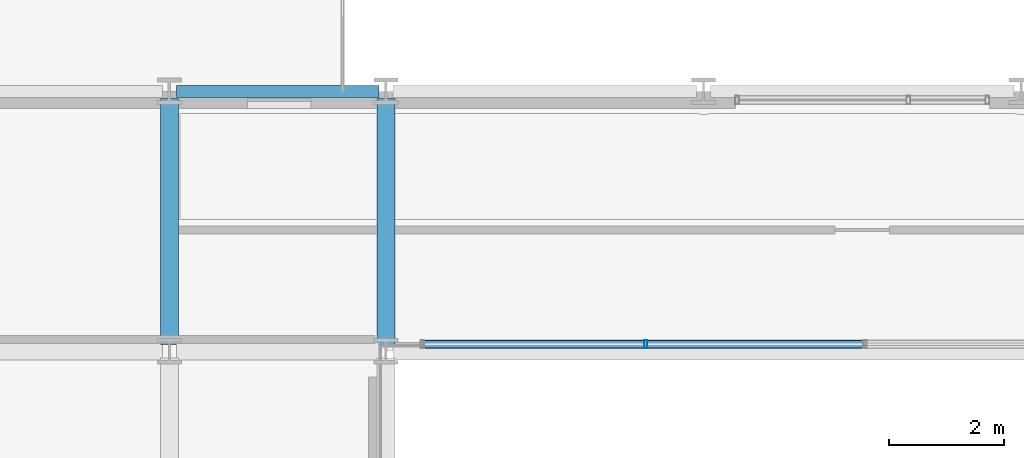
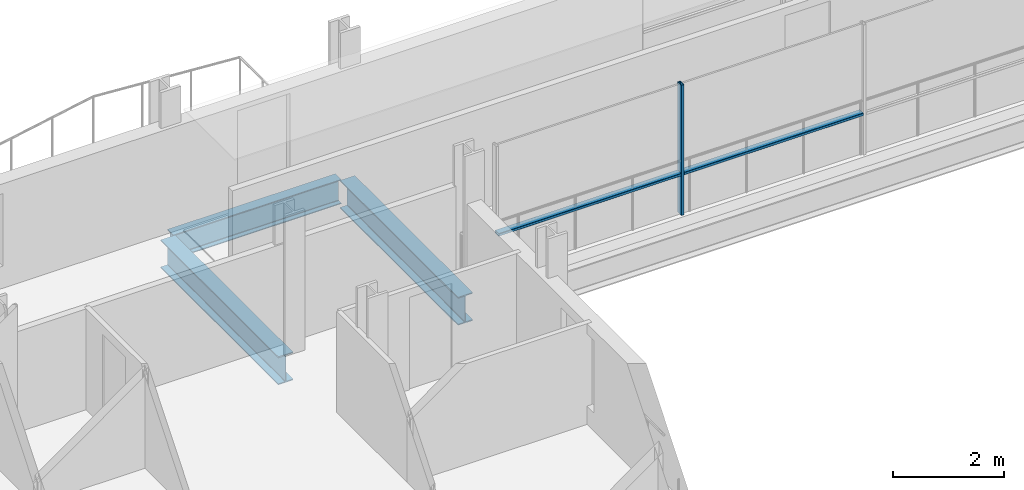
# One storey, part 9 of 39: 3 beams, 3 members, 1 element without a shape of its own.
"""IFC4 building model written with IfcOpenShell, lengths in metres."""

from ifc_helpers import new_model, si_unit, direction, frame, origin, origin_2d, place, context, subcontext, project, spatial, hollow_rectangle, i_section, extrude, material, layer, layer_set, material_profile, profile_set, type_object, element, aggregate, save


model = new_model("IFC4")

# Units and contexts
model_context = context("Model", 3, precision=1e-05, world=origin(), true_north=direction((0.0, 1.0)))
body_context = subcontext(model_context, "Body", "Model", "MODEL_VIEW")
ifc_project = project(units=[si_unit("LENGTHUNIT", "METRE"), si_unit("AREAUNIT", "SQUARE_METRE"), si_unit("VOLUMEUNIT", "CUBIC_METRE"), si_unit("PLANEANGLEUNIT", "RADIAN"), si_unit("MASSUNIT", "GRAM", prefix="KILO")], contexts=[model_context])

# Site, building, storey
site_placement = place(None, origin())
site = spatial("IfcSite", under=ifc_project, at=site_placement, CompositionType="ELEMENT")
building_placement = place(site_placement, origin())
building = spatial("IfcBuilding", under=site, at=building_placement, Name="Brevholm Reach", CompositionType="ELEMENT")
storey_placement = place(building_placement, frame((0.0, 0.0, 77.60009765625)))
storey = spatial("IfcBuildingStorey", under=building, at=storey_placement, Name="L22", CompositionType="ELEMENT", Elevation=77.60009765625)

# Beams
ifc_material_1 = material(Name="Structural Steel S355J2", Category="steel")
ifc_material_profile_1 = material_profile(ifc_material_1, i_section(OverallWidth=0.210693359375, OverallDepth=0.53955078125, WebThickness=0.01171875, FlangeThickness=0.018798828125, FilletRadius=0.0126953125, at=origin_2d()), Name="UKB 533x210x109")
ifc_profile_set_1 = profile_set([ifc_material_profile_1], Name="Structural Steel S355J2")
beam_type_1 = type_object("IfcBeamType", Name="BM-SP539", PredefinedType="SPANDREL", material=ifc_profile_set_1)
beam_placement = place(storey_placement, frame((18.1201171875, 31.0, -0.499755859375), z_axis=(1.0, 0.0, 0.0), x_axis=(0.0, 1.0, 0.0)))
element("IfcBeam", 1, at=beam_placement, inside=storey, type_object=beam_type_1, Name="L22 SP-01B Framing Beam", PredefinedType="SPANDREL", context=body_context, shape_type="SweptSolid", body=[
    extrude(i_section(OverallWidth=0.210693359375, OverallDepth=0.53955078125, WebThickness=0.01171875, FlangeThickness=0.018798828125, FilletRadius=0.0126953125, at=origin_2d()), origin(), (0.0, 0.0, 1.0), 3.509765625),
])
ifc_material_2 = material(Name="Structural Steel S355J2", Category="steel")
ifc_material_profile_2 = material_profile(ifc_material_2, i_section(OverallWidth=0.30712890625, OverallDepth=0.6201171875, WebThickness=0.01416015625, FlangeThickness=0.023681640625, FilletRadius=0.0166015625, at=origin_2d()), Name="UKB 610x305x179")
ifc_profile_set_2 = profile_set([ifc_material_profile_2], Name="Structural Steel S355J2")
beam_type_2 = type_object("IfcBeamType", Name="BM-UKB610H", PredefinedType="USERDEFINED", material=ifc_profile_set_2)
for number, where, z_axis, x_axis, name in (
    (2, (18.0, 26.6201171875, -0.540283203125), (0.0, 1.0, 0.0), (-1.0, 0.0, 0.0), "L22 G-06 Framing Beam"),
    (3, (21.75, 26.6201171875, -0.540283203125), (0.0, 1.0, 0.0), (-1.0, 0.0, 0.0), "L22 G-06 Framing Beam"),
):
    element("IfcBeam", number, at=place(storey_placement, frame(where, z_axis=z_axis, x_axis=x_axis)), inside=storey, type_object=beam_type_2, Name=name, ObjectType="GIRDER", PredefinedType="USERDEFINED", context=body_context, shape_type="SweptSolid", body=[
        extrude(i_section(OverallWidth=0.30712890625, OverallDepth=0.6201171875, WebThickness=0.01416015625, FlangeThickness=0.023681640625, FilletRadius=0.0166015625, at=origin_2d()), origin(), (0.0, 0.0, 1.0), 4.259765625),
    ])

# Curtain wall, members
ifc_material_3 = material(Name="Dark Anodised Aluminium 6063-T6 and Solar-Control Glass", Category="aluminium")
ifc_layer = layer(ifc_material_3, 0.139892578125)
ifc_layer_set = layer_set([ifc_layer], Name="Dark Anodised Aluminium 6063-T6 and Solar-Control Glass")
curtain_wall_type = type_object("IfcCurtainWallType", Name="CW-02", PredefinedType="NOTDEFINED", material=ifc_layer_set)
curtain_wall_placement = place(storey_placement, origin())
curtain_wall = element("IfcCurtainWall", 4, at=curtain_wall_placement, inside=storey, type_object=curtain_wall_type, Name="L22 Curtain Wall CW-02", PredefinedType="NOTDEFINED")
ifc_material_4 = material(Name="Dark Anodised Aluminium 6063-T6", Category="aluminium")
ifc_material_profile_3 = material_profile(ifc_material_4, hollow_rectangle(XDim=0.06005859375, YDim=0.139892578125, WallThickness=0.0048828125, InnerFilletRadius=0.0048828125, OuterFilletRadius=0.010009765625, at=origin_2d()), Name="RHS 140x60x5")
ifc_profile_set_3 = profile_set([ifc_material_profile_3], Name="Dark Anodised Aluminium 6063-T6")
member_type_1 = type_object("IfcMemberType", Name="CWM-140", PredefinedType="MULLION", material=ifc_profile_set_3)
member_1_placement = place(storey_placement, frame((26.25, 26.6201171875, 0.0), z_axis=(0.0, 0.0, 1.0), x_axis=(-1.0, 0.0, 0.0)))
member_1 = element("IfcMember", 5, at=member_1_placement, type_object=member_type_1, Name="CM-140 Mullion 4", PredefinedType="MULLION", context=body_context, shape_type="SweptSolid", body=[
    extrude(hollow_rectangle(XDim=0.06005859375, YDim=0.139892578125, WallThickness=0.0048828125, InnerFilletRadius=0.0048828125, OuterFilletRadius=0.010009765625, at=origin_2d()), origin(), (0.0, 0.0, 1.0), 2.869873046875),
])
ifc_material_5 = material(Name="Dark Anodised Aluminium 6063-T6", Category="aluminium")
ifc_material_profile_4 = material_profile(ifc_material_5, hollow_rectangle(XDim=0.06005859375, YDim=0.139892578125, WallThickness=0.0048828125, InnerFilletRadius=0.0048828125, OuterFilletRadius=0.010009765625, at=origin_2d()), Name="RHS 140x60x5")
ifc_profile_set_4 = profile_set([ifc_material_profile_4], Name="Dark Anodised Aluminium 6063-T6")
member_type_2 = type_object("IfcMemberType", Name="CWT-140", PredefinedType="NOTDEFINED", material=ifc_profile_set_4)
member_2_placement = place(storey_placement, frame((30.02001953125, 26.6201171875, 0.89990234375), z_axis=(-1.0, 0.0, 0.0), x_axis=(0.0, 0.0, 1.0)))
member_2 = element("IfcMember", 6, at=member_2_placement, type_object=member_type_2, Name="CT-140 Transom 3.1", ObjectType="TRANSOM", PredefinedType="USERDEFINED", context=body_context, shape_type="SweptSolid", body=[
    extrude(hollow_rectangle(XDim=0.06005859375, YDim=0.139892578125, WallThickness=0.0048828125, InnerFilletRadius=0.0048828125, OuterFilletRadius=0.010009765625, at=origin_2d()), origin(), (0.0, 0.0, 1.0), 3.739990234375),
])
member_3_placement = place(storey_placement, frame((26.219970703125, 26.6201171875, 0.89990234375), z_axis=(-1.0, 0.0, 0.0), x_axis=(0.0, 0.0, 1.0)))
member_3 = element("IfcMember", 7, at=member_3_placement, type_object=member_type_2, Name="CT-140 Transom 4.1", ObjectType="TRANSOM", PredefinedType="USERDEFINED", context=body_context, shape_type="SweptSolid", body=[
    extrude(hollow_rectangle(XDim=0.06005859375, YDim=0.139892578125, WallThickness=0.0048828125, InnerFilletRadius=0.0048828125, OuterFilletRadius=0.010009765625, at=origin_2d()), origin(), (0.0, 0.0, 1.0), 3.81005859375),
])
aggregate(curtain_wall, [member_1, member_2, member_3])

save(model, "model.ifc")
